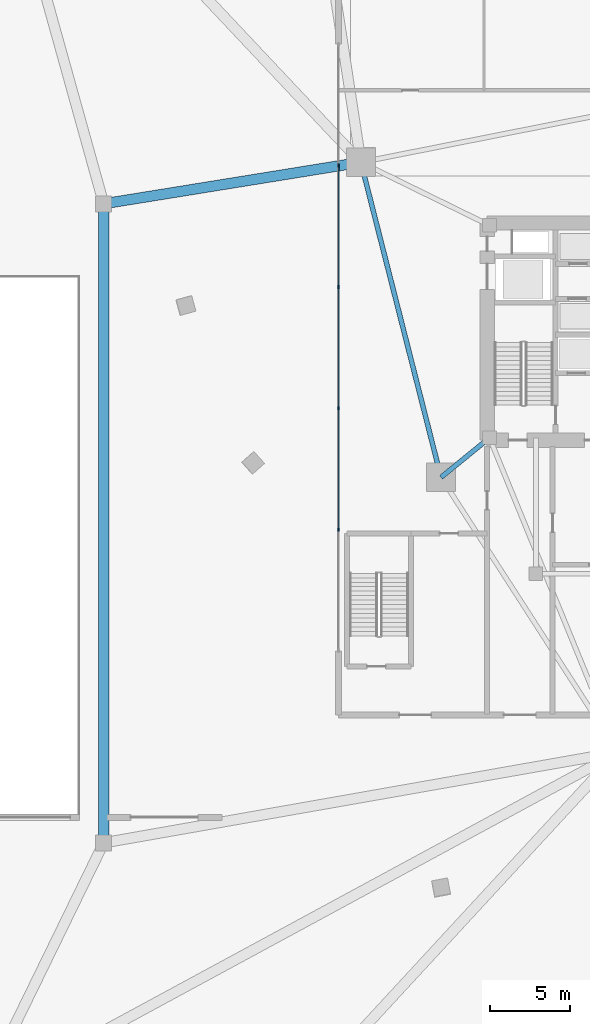
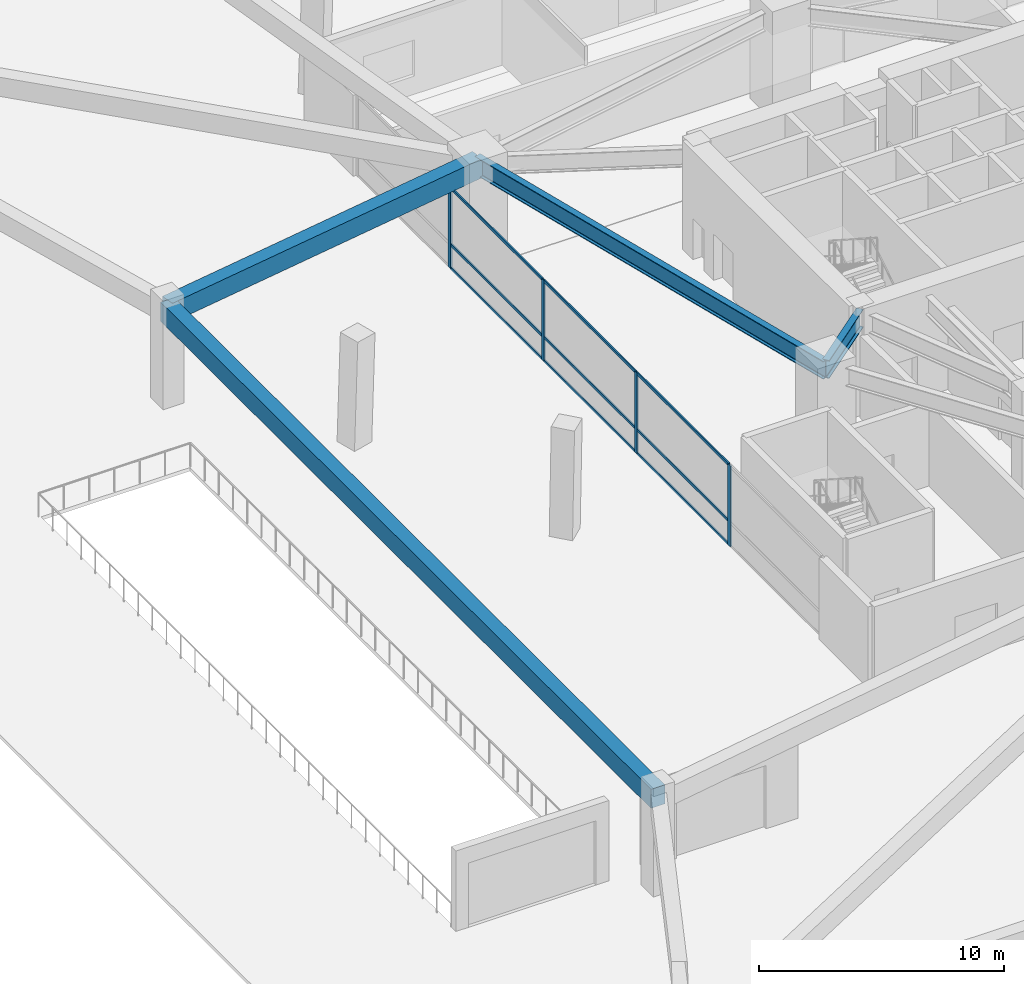
# One storey, part 5 of 19: 13 members, 4 beams, 1 element without a shape of its own.
"""IFC4 building model written with IfcOpenShell, lengths in metres."""

from ifc_helpers import new_model, si_unit, direction, frame, origin, origin_2d, place, context, subcontext, project, spatial, rectangle, i_section, extrude, material, layer, layer_set, material_profile, profile_set, type_object, element, aggregate, save


model = new_model("IFC4")

# Units and contexts
model_context = context("Model", 3, precision=1e-05, world=origin(), true_north=direction((0.0, 1.0)))
body_context = subcontext(model_context, "Body", "Model", "MODEL_VIEW")
ifc_project = project(units=[si_unit("LENGTHUNIT", "METRE"), si_unit("AREAUNIT", "SQUARE_METRE"), si_unit("VOLUMEUNIT", "CUBIC_METRE"), si_unit("PLANEANGLEUNIT", "RADIAN"), si_unit("MASSUNIT", "GRAM", prefix="KILO")], contexts=[model_context])

# Site, building, storey
site_placement = place(None, origin())
site = spatial("IfcSite", under=ifc_project, at=site_placement, CompositionType="ELEMENT")
building_placement = place(site_placement, origin())
building = spatial("IfcBuilding", under=site, at=building_placement, Name="Talyreon Biosciences Tower", CompositionType="ELEMENT")
storey_placement = place(building_placement, origin())
storey = spatial("IfcBuildingStorey", under=building, at=storey_placement, Name="L00", CompositionType="ELEMENT", Elevation=0.0)

# Curtain wall, members
ifc_material_1 = material(Name="Thermally broken aluminium and low-E glazing", Category="aluminium")
ifc_layer = layer(ifc_material_1, 0.219970703125)
ifc_layer_set = layer_set([ifc_layer], Name="Thermally broken aluminium and low-E glazing")
curtain_wall_type = type_object("IfcCurtainWallType", Name="CurtainWall_PodiumDoubleHeight", PredefinedType="NOTDEFINED", material=ifc_layer_set)
curtain_wall_placement = place(storey_placement, origin())
curtain_wall = element("IfcCurtainWall", 1, at=curtain_wall_placement, inside=storey, type_object=curtain_wall_type, Name="L00 Unitised Curtain Wall FCW-L00-W", PredefinedType="NOTDEFINED")
ifc_material_2 = material(Name="Anodised thermally broken aluminium", Category="aluminium")
ifc_material_profile_1 = material_profile(ifc_material_2, rectangle(XDim=0.074951171875, YDim=0.2099609375, at=origin_2d()), Name="ALUM MULLION 75x210")
ifc_profile_set_1 = profile_set([ifc_material_profile_1], Name="Anodised thermally broken aluminium")
member_type_1 = type_object("IfcMemberType", Name="CWMullion_75x210", PredefinedType="MULLION", material=ifc_profile_set_1)
member_1_placement = place(storey_placement, frame((48.5, 55.60009765625, 0.0), z_axis=(0.0, 0.0, 1.0), x_axis=(-1.0, 0.0, 0.0)))
member_1 = element("IfcMember", 2, at=member_1_placement, type_object=member_type_1, Name="CW1 mullion 2", PredefinedType="MULLION", context=body_context, shape_type="SweptSolid", body=[
    extrude(rectangle(XDim=0.074951171875, YDim=0.2099609375, at=origin_2d()), origin(), (0.0, 0.0, 1.0), 4.030029296875),
])
member_2_placement = place(storey_placement, frame((48.5, 63.199951171875, 0.0), z_axis=(0.0, 0.0, 1.0), x_axis=(-1.0, 0.0, 0.0)))
member_2 = element("IfcMember", 3, at=member_2_placement, type_object=member_type_1, Name="CW1 mullion 3", PredefinedType="MULLION", context=body_context, shape_type="SweptSolid", body=[
    extrude(rectangle(XDim=0.074951171875, YDim=0.2099609375, at=origin_2d()), origin(), (0.0, 0.0, 1.0), 4.030029296875),
])
member_3_placement = place(storey_placement, frame((48.5, 70.800048828125, 0.0), z_axis=(0.0, 0.0, 1.0), x_axis=(-1.0, 0.0, 0.0)))
member_3 = element("IfcMember", 4, at=member_3_placement, type_object=member_type_1, Name="CW1 mullion 4", PredefinedType="MULLION", context=body_context, shape_type="SweptSolid", body=[
    extrude(rectangle(XDim=0.074951171875, YDim=0.2099609375, at=origin_2d()), origin(), (0.0, 0.0, 1.0), 4.030029296875),
])
member_4_placement = place(storey_placement, frame((48.5, 78.39990234375, 0.0), z_axis=(0.0, 0.0, 1.0), x_axis=(-1.0, 0.0, 0.0)))
member_4 = element("IfcMember", 5, at=member_4_placement, type_object=member_type_1, Name="CW1 mullion 5", PredefinedType="MULLION", context=body_context, shape_type="SweptSolid", body=[
    extrude(rectangle(XDim=0.074951171875, YDim=0.2099609375, at=origin_2d()), origin(), (0.0, 0.0, 1.0), 4.030029296875),
])
ifc_material_profile_2 = material_profile(ifc_material_2, rectangle(XDim=0.06494140625, YDim=0.139892578125, at=origin_2d()), Name="ALUM TRANSOM 65x140")
ifc_profile_set_2 = profile_set([ifc_material_profile_2], Name="Anodised thermally broken aluminium")
member_type_2 = type_object("IfcMemberType", Name="CWTransom_65x140", PredefinedType="USERDEFINED", material=ifc_profile_set_2)
member_5_placement = place(storey_placement, frame((48.5, 55.637451171875, 0.032470703125), z_axis=(0.0, 1.0, 0.0), x_axis=(-1.0, 0.0, 0.0)))
member_5 = element("IfcMember", 6, at=member_5_placement, type_object=member_type_2, Name="CW1 transom 2.1", ObjectType="TRANSOM", PredefinedType="USERDEFINED", context=body_context, shape_type="SweptSolid", body=[
    extrude(rectangle(XDim=0.06494140625, YDim=0.139892578125, at=origin_2d()), origin(), (0.0, 0.0, 1.0), 7.525146484375),
])
member_6_placement = place(storey_placement, frame((48.5, 55.637451171875, 1.199951171875), z_axis=(0.0, 1.0, 0.0), x_axis=(-1.0, 0.0, 0.0)))
member_6 = element("IfcMember", 7, at=member_6_placement, type_object=member_type_2, Name="CW1 transom 2.2", ObjectType="TRANSOM", PredefinedType="USERDEFINED", context=body_context, shape_type="SweptSolid", body=[
    extrude(rectangle(XDim=0.06494140625, YDim=0.139892578125, at=origin_2d()), origin(), (0.0, 0.0, 1.0), 7.525146484375),
])
member_7_placement = place(storey_placement, frame((48.5, 55.637451171875, 3.99755859375), z_axis=(0.0, 1.0, 0.0), x_axis=(-1.0, 0.0, 0.0)))
member_7 = element("IfcMember", 8, at=member_7_placement, type_object=member_type_2, Name="CW1 transom 2.3", ObjectType="TRANSOM", PredefinedType="USERDEFINED", context=body_context, shape_type="SweptSolid", body=[
    extrude(rectangle(XDim=0.06494140625, YDim=0.139892578125, at=origin_2d()), origin(), (0.0, 0.0, 1.0), 7.525146484375),
])
member_8_placement = place(storey_placement, frame((48.5, 63.237548828125, 0.032470703125), z_axis=(0.0, 1.0, 0.0), x_axis=(-1.0, 0.0, 0.0)))
member_8 = element("IfcMember", 9, at=member_8_placement, type_object=member_type_2, Name="CW1 transom 3.1", ObjectType="TRANSOM", PredefinedType="USERDEFINED", context=body_context, shape_type="SweptSolid", body=[
    extrude(rectangle(XDim=0.06494140625, YDim=0.139892578125, at=origin_2d()), origin(), (0.0, 0.0, 1.0), 7.52490234375),
])
member_9_placement = place(storey_placement, frame((48.5, 63.237548828125, 1.199951171875), z_axis=(0.0, 1.0, 0.0), x_axis=(-1.0, 0.0, 0.0)))
member_9 = element("IfcMember", 10, at=member_9_placement, type_object=member_type_2, Name="CW1 transom 3.2", ObjectType="TRANSOM", PredefinedType="USERDEFINED", context=body_context, shape_type="SweptSolid", body=[
    extrude(rectangle(XDim=0.06494140625, YDim=0.139892578125, at=origin_2d()), origin(), (0.0, 0.0, 1.0), 7.52490234375),
])
member_10_placement = place(storey_placement, frame((48.5, 63.237548828125, 3.99755859375), z_axis=(0.0, 1.0, 0.0), x_axis=(-1.0, 0.0, 0.0)))
member_10 = element("IfcMember", 11, at=member_10_placement, type_object=member_type_2, Name="CW1 transom 3.3", ObjectType="TRANSOM", PredefinedType="USERDEFINED", context=body_context, shape_type="SweptSolid", body=[
    extrude(rectangle(XDim=0.06494140625, YDim=0.139892578125, at=origin_2d()), origin(), (0.0, 0.0, 1.0), 7.52490234375),
])
member_11_placement = place(storey_placement, frame((48.5, 70.83740234375, 0.032470703125), z_axis=(0.0, 1.0, 0.0), x_axis=(-1.0, 0.0, 0.0)))
member_11 = element("IfcMember", 12, at=member_11_placement, type_object=member_type_2, Name="CW1 transom 4.1", ObjectType="TRANSOM", PredefinedType="USERDEFINED", context=body_context, shape_type="SweptSolid", body=[
    extrude(rectangle(XDim=0.06494140625, YDim=0.139892578125, at=origin_2d()), origin(), (0.0, 0.0, 1.0), 7.525146484375),
])
member_12_placement = place(storey_placement, frame((48.5, 70.83740234375, 1.199951171875), z_axis=(0.0, 1.0, 0.0), x_axis=(-1.0, 0.0, 0.0)))
member_12 = element("IfcMember", 13, at=member_12_placement, type_object=member_type_2, Name="CW1 transom 4.2", ObjectType="TRANSOM", PredefinedType="USERDEFINED", context=body_context, shape_type="SweptSolid", body=[
    extrude(rectangle(XDim=0.06494140625, YDim=0.139892578125, at=origin_2d()), origin(), (0.0, 0.0, 1.0), 7.525146484375),
])
member_13_placement = place(storey_placement, frame((48.5, 70.83740234375, 3.99755859375), z_axis=(0.0, 1.0, 0.0), x_axis=(-1.0, 0.0, 0.0)))
member_13 = element("IfcMember", 14, at=member_13_placement, type_object=member_type_2, Name="CW1 transom 4.3", ObjectType="TRANSOM", PredefinedType="USERDEFINED", context=body_context, shape_type="SweptSolid", body=[
    extrude(rectangle(XDim=0.06494140625, YDim=0.139892578125, at=origin_2d()), origin(), (0.0, 0.0, 1.0), 7.525146484375),
])
aggregate(curtain_wall, [member_1, member_2, member_3, member_4, member_5, member_6, member_7, member_8, member_9, member_10, member_11, member_12, member_13])

# Beams
ifc_material_3 = material(Name="Concrete C50/60", Category="concrete")
ifc_material_profile_3 = material_profile(ifc_material_3, rectangle(XDim=0.64990234375, YDim=0.949951171875, at=origin_2d()), Name="RCB 650x950")
ifc_profile_set_3 = profile_set([ifc_material_profile_3], Name="Concrete C50/60")
beam_type_1 = type_object("IfcBeamType", Name="PodiumGirder_650x950", PredefinedType="T_BEAM", material=ifc_profile_set_3)
beam_1_placement = place(storey_placement, frame((33.800048828125, 76.0, 4.52490234375), z_axis=(0.0, -1.0, 0.0), x_axis=(1.0, 0.0, 0.0)))
element("IfcBeam", 15, at=beam_1_placement, inside=storey, type_object=beam_type_1, Name="L00 Podium Perimeter Ring Girder 13", PredefinedType="T_BEAM", context=body_context, shape_type="SweptSolid", body=[
    extrude(rectangle(XDim=0.64990234375, YDim=0.949951171875, at=origin_2d()), origin(), (0.0, 0.0, 1.0), 40.0),
])
beam_2_placement = place(storey_placement, frame((49.897705078125, 78.5986328125, 4.52490234375), z_axis=(-0.987219548989, -0.159366125932, 0.0), x_axis=(0.159366125932, -0.987219548989, 0.0)))
element("IfcBeam", 16, at=beam_2_placement, inside=storey, type_object=beam_type_1, Name="L00 Podium Radial Tie Girder PDC13", PredefinedType="T_BEAM", context=body_context, shape_type="SweptSolid", body=[
    extrude(rectangle(XDim=0.64990234375, YDim=0.949951171875, at=origin_2d()), origin(), (0.0, 0.0, 1.0), 16.30615234375),
])
ifc_material_4 = material(Name="Steel SM420", Category="steel")
ifc_material_profile_4 = material_profile(ifc_material_4, i_section(OverallWidth=0.300048828125, OverallDepth=0.89990234375, WebThickness=0.0185546875, FlangeThickness=0.034912109375, FilletRadius=0.030029296875, at=origin_2d()), Name="HE900B")
ifc_profile_set_4 = profile_set([ifc_material_profile_4], Name="Steel SM420")
beam_type_2 = type_object("IfcBeamType", Name="SteelGirder_HE900B", PredefinedType="BEAM", material=ifc_profile_set_4)
beam_3_placement = place(storey_placement, frame((49.897705078125, 78.5986328125, 4.550048828125), z_axis=(0.246537082299, -0.969133358755, 0.0), x_axis=(0.969133358755, 0.246537082299, 0.0)))
element("IfcBeam", 17, at=beam_3_placement, inside=storey, type_object=beam_type_2, Name="L00 Mega-Ring Girder 5", PredefinedType="BEAM", context=body_context, shape_type="SweptSolid", body=[
    extrude(i_section(OverallWidth=0.300048828125, OverallDepth=0.89990234375, WebThickness=0.0185546875, FlangeThickness=0.034912109375, FilletRadius=0.030029296875, at=origin_2d()), origin(), (0.0, 0.0, 1.0), 20.34619140625),
])
beam_4_placement = place(storey_placement, frame((57.949951171875, 61.35009765625, 4.550048828125), z_axis=(-0.775755154013, -0.631034025249, 0.0), x_axis=(0.631034025249, -0.775755154013, 0.0)))
element("IfcBeam", 18, at=beam_4_placement, inside=storey, type_object=beam_type_2, Name="L00 Radial Primary Girder 6", PredefinedType="BEAM", context=body_context, shape_type="SweptSolid", body=[
    extrude(i_section(OverallWidth=0.300048828125, OverallDepth=0.89990234375, WebThickness=0.0185546875, FlangeThickness=0.034912109375, FilletRadius=0.030029296875, at=origin_2d()), origin(), (0.0, 0.0, 1.0), 3.913818359375),
])

save(model, "model.ifc")
